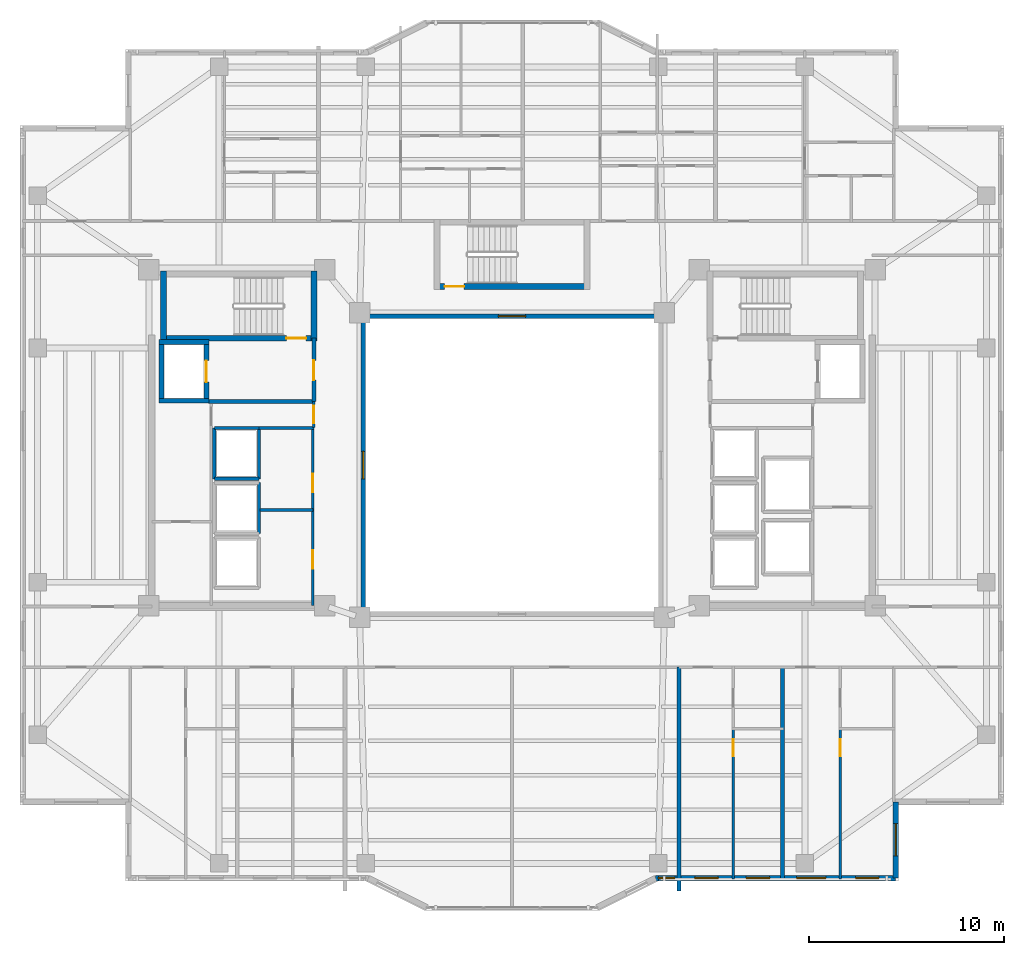
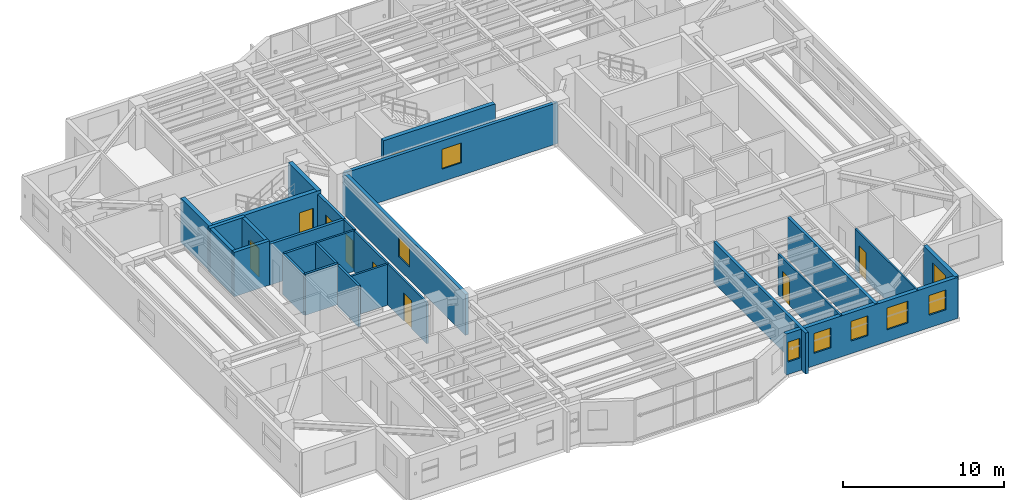
# One storey, part 7 of 16: 27 walls, 9 doors, 8 windows, 17 openings.
"""IFC4 building model written with IfcOpenShell, lengths in metres."""

from ifc_helpers import new_model, si_unit, direction, frame, frame_2d, origin, place, context, subcontext, project, spatial, rectangle, extrude, material, layer, layer_set, type_object, element, fill, save


model = new_model("IFC4")

# Units and contexts
model_context = context("Model", 3, precision=1e-05, world=origin(), true_north=direction((0.0, 1.0)))
body_context = subcontext(model_context, "Body", "Model", "MODEL_VIEW")
ifc_project = project(units=[si_unit("LENGTHUNIT", "METRE"), si_unit("AREAUNIT", "SQUARE_METRE"), si_unit("VOLUMEUNIT", "CUBIC_METRE"), si_unit("PLANEANGLEUNIT", "RADIAN"), si_unit("MASSUNIT", "GRAM", prefix="KILO")], contexts=[model_context])

# Site, building, storey
site_placement = place(None, origin())
site = spatial("IfcSite", under=ifc_project, at=site_placement, CompositionType="ELEMENT")
building_placement = place(site_placement, origin())
building = spatial("IfcBuilding", under=site, at=building_placement, Name="Tarnavaz Court Tower", CompositionType="ELEMENT")
storey_placement = place(building_placement, frame((0.0, 0.0, 152.699951171875)))
storey = spatial("IfcBuildingStorey", under=building, at=storey_placement, Name="L41", CompositionType="ELEMENT", Elevation=152.699951171875)

# Wall
ifc_material_1 = material(Name="Concrete C50/60", Category="concrete")
ifc_layer_1 = layer(ifc_material_1, 0.25)
ifc_layer_set_1 = layer_set([ifc_layer_1], Name="Concrete C50/60")
wall_type_1 = type_object("IfcWallType", Name="WL-CORE-250-C50", PredefinedType="SHEAR", material=ifc_layer_set_1)
wall_1_placement = place(storey_placement, frame((-17.949951171875, 3.175048828125, 0.0), z_axis=(0.0, 0.0, 1.0), x_axis=(0.0, 1.0, 0.0)))
element("IfcWall", 1, at=wall_1_placement, inside=storey, type_object=wall_type_1, Name="L41 Lift FL-W1 Shaft Wall 017", PredefinedType="SHEAR", context=body_context, shape_type="SweptSolid", body=[
    extrude(rectangle(XDim=3.25, YDim=0.25, at=frame_2d((1.625, 0.0))), origin(), (0.0, 0.0, 1.0), 3.35009765625),
])

# Wall, opening, door
wall_2_placement = place(storey_placement, frame((-15.64990234375, 3.175048828125, 0.0), z_axis=(0.0, 0.0, 1.0), x_axis=(0.0, 1.0, 0.0)))
wall_2 = element("IfcWall", 2, at=wall_2_placement, inside=storey, type_object=wall_type_1, Name="L41 Lift FL-W1 Shaft Wall 018", PredefinedType="SHEAR", context=body_context, shape_type="SweptSolid", body=[
    extrude(rectangle(XDim=3.25, YDim=0.25, at=frame_2d((1.625, 0.0))), origin(), (0.0, 0.0, 1.0), 3.35009765625),
])
opening_1_placement = place(wall_2_placement, frame((1.074951171875, 0.0, 0.0)))
opening_1 = element("IfcOpeningElement", 3, at=opening_1_placement, cuts=wall_2, Name="Opening LD1", PredefinedType="OPENING", context=body_context, shape_type="SweptSolid", body=[
    extrude(rectangle(XDim=1.10009765625, YDim=2.14990234375, at=frame_2d((0.550048828125, 1.074951171875))), frame((0.0, 0.135009765625, 0.0), z_axis=(0.0, -1.0, 0.0), x_axis=(1.0, 0.0, 0.0)), (0.0, 0.0, 1.0), 0.27001953125),
])
ifc_material_2 = material(Name="Stainless Steel", Category="steel")
door_type_1 = type_object("IfcDoorType", Name="DR-LD-1100", OperationType="NOTDEFINED", PredefinedType="DOOR", material=ifc_material_2)
door_1_placement = place(opening_1_placement, origin())
door_1 = element("IfcDoor", 4, at=door_1_placement, inside=storey, type_object=door_type_1, Name="L41 Lift Landing Door LD-FL-W1", OperationType="SLIDING_TO_LEFT", OverallHeight=2.14990234375, OverallWidth=1.10009765625, PredefinedType="DOOR", context=body_context, shape_type="SweptSolid", body=[
    extrude(rectangle(XDim=1.10009765625, YDim=2.14990234375, at=frame_2d((0.550048828125, 1.074951171875))), frame((0.0, 0.02490234375, 0.0), z_axis=(0.0, -1.0, 0.0), x_axis=(1.0, 0.0, 0.0)), (0.0, 0.0, 1.0), 0.050048828125),
])
fill(opening_1, door_1)

# Walls
for number, where, z_axis, x_axis, name in (
    (5, (-18.074951171875, 3.300048828125, 0.0), (0.0, 0.0, 1.0), (1.0, 0.0, 0.0), "L41 Lift FL-W1 Shaft Wall 019"),
    (6, (-18.074951171875, 6.300048828125, 0.0), (0.0, 0.0, 1.0), (1.0, 0.0, 0.0), "L41 Lift FL-W1 Shaft Wall 020"),
):
    element("IfcWall", number, at=place(storey_placement, frame(where, z_axis=z_axis, x_axis=x_axis)), inside=storey, type_object=wall_type_1, Name=name, PredefinedType="SHEAR", context=body_context, shape_type="SweptSolid", body=[
        extrude(rectangle(XDim=2.550048828125, YDim=0.25, at=frame_2d((1.27490234375, 0.0))), origin(), (0.0, 0.0, 1.0), 3.35009765625),
    ])

# Wall, opening, door
ifc_layer_2 = layer(ifc_material_1, 0.300048828125)
ifc_layer_set_2 = layer_set([ifc_layer_2], Name="Concrete C50/60")
wall_type_2 = type_object("IfcWallType", Name="WL-CORE-300-C50", PredefinedType="SHEAR", material=ifc_layer_set_2)
wall_3_placement = place(storey_placement, frame((-18.0, 6.5, 0.0), z_axis=(0.0, 0.0, 1.0), x_axis=(1.0, 0.0, 0.0)))
wall_3 = element("IfcWall", 7, at=wall_3_placement, inside=storey, type_object=wall_type_2, Name="L41 West Stair Core Wall 002", PredefinedType="SHEAR", context=body_context, shape_type="SweptSolid", body=[
    extrude(rectangle(XDim=8.0, YDim=0.300048828125, at=frame_2d((4.0, 0.0))), origin(), (0.0, 0.0, 1.0), 3.35009765625),
])
opening_2_placement = place(wall_3_placement, frame((6.449951171875, 0.0, 0.0)))
opening_2 = element("IfcOpeningElement", 8, at=opening_2_placement, cuts=wall_3, Name="Opening D01", PredefinedType="OPENING", context=body_context, shape_type="SweptSolid", body=[
    extrude(rectangle(XDim=1.0, YDim=2.14990234375, at=frame_2d((0.5, 1.074951171875))), frame((0.0, 0.159912109375, 0.0), z_axis=(0.0, -1.0, 0.0), x_axis=(1.0, 0.0, 0.0)), (0.0, 0.0, 1.0), 0.320068359375),
])
ifc_material_3 = material(Name="Fire-Rated Hardwood Timber Core", Category="wood")
door_type_2 = type_object("IfcDoorType", Name="DR-FD90-1000", OperationType="NOTDEFINED", PredefinedType="DOOR", material=ifc_material_3)
door_2_placement = place(opening_2_placement, origin())
door_2 = element("IfcDoor", 9, at=door_2_placement, inside=storey, type_object=door_type_2, Name="L41 Stair ST-W1 Exit Door", OperationType="SINGLE_SWING_LEFT", OverallHeight=2.14990234375, OverallWidth=1.0, PredefinedType="DOOR", context=body_context, shape_type="SweptSolid", body=[
    extrude(rectangle(XDim=1.0, YDim=2.14990234375, at=frame_2d((0.5, 1.074951171875))), frame((0.0, 0.02490234375, 0.0), z_axis=(0.0, -1.0, 0.0), x_axis=(1.0, 0.0, 0.0)), (0.0, 0.0, 1.0), 0.050048828125),
])
fill(opening_2, door_2)

# Walls
for number, where, z_axis, x_axis, name in (
    (10, (-17.85009765625, 6.35009765625, 0.0), (0.0, 0.0, 1.0), (0.0, 1.0, 0.0), "L41 West Stair Core Wall 003"),
    (11, (-10.14990234375, 6.35009765625, 0.0), (0.0, 0.0, 1.0), (0.0, 1.0, 0.0), "L41 West Stair Core Wall 004"),
):
    element("IfcWall", number, at=place(storey_placement, frame(where, z_axis=z_axis, x_axis=x_axis)), inside=storey, type_object=wall_type_2, Name=name, PredefinedType="SHEAR", context=body_context, shape_type="SweptSolid", body=[
        extrude(rectangle(XDim=3.58984375, YDim=0.300048828125, at=frame_2d((1.794921875, 0.0))), origin(), (0.0, 0.0, 1.0), 3.35009765625),
    ])

# Wall, opening, door
wall_4_placement = place(storey_placement, frame((-4.0, 9.14990234375, 0.0), z_axis=(0.0, 0.0, 1.0), x_axis=(1.0, 0.0, 0.0)))
wall_4 = element("IfcWall", 12, at=wall_4_placement, inside=storey, type_object=wall_type_2, Name="L41 North Stair Core Wall 010", PredefinedType="SHEAR", context=body_context, shape_type="SweptSolid", body=[
    extrude(rectangle(XDim=8.0, YDim=0.300048828125, at=frame_2d((4.0, 0.0))), origin(), (0.0, 0.0, 1.0), 3.35009765625),
])
opening_3_placement = place(wall_4_placement, frame((0.550048828125, 0.0, 0.0)))
opening_3 = element("IfcOpeningElement", 13, at=opening_3_placement, cuts=wall_4, Name="Opening D01", PredefinedType="OPENING", context=body_context, shape_type="SweptSolid", body=[
    extrude(rectangle(XDim=1.0, YDim=2.14990234375, at=frame_2d((0.5, 1.074951171875))), frame((0.0, 0.159912109375, 0.0), z_axis=(0.0, -1.0, 0.0), x_axis=(1.0, 0.0, 0.0)), (0.0, 0.0, 1.0), 0.320068359375),
])
door_3_placement = place(opening_3_placement, origin())
door_3 = element("IfcDoor", 14, at=door_3_placement, inside=storey, type_object=door_type_2, Name="L41 Stair ST-N1 Exit Door", OperationType="SINGLE_SWING_LEFT", OverallHeight=2.14990234375, OverallWidth=1.0, PredefinedType="DOOR", context=body_context, shape_type="SweptSolid", body=[
    extrude(rectangle(XDim=1.0, YDim=2.14990234375, at=frame_2d((0.5, 1.074951171875))), frame((0.0, 0.02490234375, 0.0), z_axis=(0.0, -1.0, 0.0), x_axis=(1.0, 0.0, 0.0)), (0.0, 0.0, 1.0), 0.050048828125),
])
fill(opening_3, door_3)

# Wall, opening, window
ifc_material_4 = material(Name="Precast Concrete C40/50", Category="concrete")
ifc_layer_3 = layer(ifc_material_4, 0.280029296875)
ifc_layer_set_3 = layer_set([ifc_layer_3], Name="Precast Concrete C40/50")
wall_type_3 = type_object("IfcWallType", Name="WL-EXT-280", PredefinedType="SOLIDWALL", material=ifc_layer_set_3)
wall_5_placement = place(storey_placement, frame((19.64990234375, -17.25, 0.0), z_axis=(0.0, 0.0, 1.0), x_axis=(0.0, -1.0, 0.0)))
wall_5 = element("IfcWall", 15, at=wall_5_placement, inside=storey, type_object=wall_type_3, Name="L41 Exterior Terracotta Facade Wall 14", PredefinedType="SOLIDWALL", context=body_context, shape_type="SweptSolid", body=[
    extrude(rectangle(XDim=3.89990234375, YDim=0.280029296875, at=frame_2d((1.949951171875, 0.0))), origin(), (0.0, 0.0, 1.0), 3.10009765625),
])
opening_4_placement = place(wall_5_placement, frame((1.107177734375, 0.0, 0.89990234375)))
opening_4 = element("IfcOpeningElement", 16, at=opening_4_placement, cuts=wall_5, Name="Opening W02", PredefinedType="OPENING", context=body_context, shape_type="SweptSolid", body=[
    extrude(rectangle(XDim=1.64990234375, YDim=1.60009765625, at=frame_2d((0.824951171875, 0.800048828125))), frame((0.0, 0.14990234375, 0.0), z_axis=(0.0, -1.0, 0.0), x_axis=(1.0, 0.0, 0.0)), (0.0, 0.0, 1.0), 0.300048828125),
])
ifc_material_5 = material(Name="Double-Glazed Solar Low-E Glass", Category="glass")
window_type_1 = type_object("IfcWindowType", Name="WN-APT-1650", PartitioningType="DOUBLE_PANEL_VERTICAL", PredefinedType="WINDOW", material=ifc_material_5)
window_1_placement = place(opening_4_placement, origin())
window_1 = element("IfcWindow", 17, at=window_1_placement, inside=storey, type_object=window_type_1, Name="L41 Flat 08 Kitchen Window", OverallHeight=1.60009765625, OverallWidth=1.64990234375, PartitioningType="SINGLE_PANEL", PredefinedType="WINDOW", context=body_context, shape_type="SweptSolid", body=[
    extrude(rectangle(XDim=1.64990234375, YDim=1.60009765625, at=frame_2d((0.824951171875, 0.800048828125))), frame((0.0, 0.030029296875, 0.0), z_axis=(0.0, -1.0, 0.0), x_axis=(1.0, 0.0, 0.0)), (0.0, 0.0, 1.0), 0.06005859375),
])
fill(opening_4, window_1)

# Wall, openings, windows
wall_6_placement = place(storey_placement, frame((19.64990234375, -21.14990234375, 0.0), z_axis=(0.0, 0.0, 1.0), x_axis=(-1.0, 0.0, 0.0)))
wall_6 = element("IfcWall", 18, at=wall_6_placement, inside=storey, type_object=wall_type_3, Name="L41 Exterior Terracotta Facade Wall 15", PredefinedType="SOLIDWALL", context=body_context, shape_type="SweptSolid", body=[
    extrude(rectangle(XDim=12.2998046875, YDim=0.280029296875, at=frame_2d((6.14990234375, 0.0))), origin(), (0.0, 0.0, 1.0), 3.10009765625),
])
opening_5_placement = place(wall_6_placement, frame((0.85595703125, 0.0, 0.949951171875)))
opening_5 = element("IfcOpeningElement", 19, at=opening_5_placement, cuts=wall_6, Name="Opening W05", PredefinedType="OPENING", context=body_context, shape_type="SweptSolid", body=[
    extrude(rectangle(XDim=1.199951171875, YDim=1.5, at=frame_2d((0.60009765625, 0.75))), frame((0.0, 0.14990234375, 0.0), z_axis=(0.0, -1.0, 0.0), x_axis=(1.0, 0.0, 0.0)), (0.0, 0.0, 1.0), 0.300048828125),
])
opening_6_placement = place(wall_6_placement, frame((3.567626953125, 0.0, 0.89990234375)))
opening_6 = element("IfcOpeningElement", 20, at=opening_6_placement, cuts=wall_6, Name="Opening W03", PredefinedType="OPENING", context=body_context, shape_type="SweptSolid", body=[
    extrude(rectangle(XDim=1.5, YDim=1.64990234375, at=frame_2d((0.75, 0.824951171875))), frame((0.0, 0.14990234375, 0.0), z_axis=(0.0, -1.0, 0.0), x_axis=(1.0, 0.0, 0.0)), (0.0, 0.0, 1.0), 0.300048828125),
])
opening_7_placement = place(wall_6_placement, frame((6.45361328125, 0.0, 0.949951171875)))
opening_7 = element("IfcOpeningElement", 21, at=opening_7_placement, cuts=wall_6, Name="Opening W05", PredefinedType="OPENING", context=body_context, shape_type="SweptSolid", body=[
    extrude(rectangle(XDim=1.199951171875, YDim=1.5, at=frame_2d((0.60009765625, 0.75))), frame((0.0, 0.14990234375, 0.0), z_axis=(0.0, -1.0, 0.0), x_axis=(1.0, 0.0, 0.0)), (0.0, 0.0, 1.0), 0.300048828125),
])
opening_8_placement = place(wall_6_placement, frame((9.08935546875, 0.0, 0.949951171875)))
opening_8 = element("IfcOpeningElement", 22, at=opening_8_placement, cuts=wall_6, Name="Opening W05", PredefinedType="OPENING", context=body_context, shape_type="SweptSolid", body=[
    extrude(rectangle(XDim=1.199951171875, YDim=1.5, at=frame_2d((0.60009765625, 0.75))), frame((0.0, 0.14990234375, 0.0), z_axis=(0.0, -1.0, 0.0), x_axis=(1.0, 0.0, 0.0)), (0.0, 0.0, 1.0), 0.300048828125),
])
opening_9_placement = place(wall_6_placement, frame((11.302978515625, 0.0, 0.949951171875)))
opening_9 = element("IfcOpeningElement", 23, at=opening_9_placement, cuts=wall_6, Name="Opening W15", PredefinedType="OPENING", context=body_context, shape_type="SweptSolid", body=[
    extrude(rectangle(XDim=0.85009765625, YDim=1.5, at=frame_2d((0.425048828125, 0.75))), frame((0.0, 0.14990234375, 0.0), z_axis=(0.0, -1.0, 0.0), x_axis=(1.0, 0.0, 0.0)), (0.0, 0.0, 1.0), 0.300048828125),
])
window_type_2 = type_object("IfcWindowType", Name="WN-APT-1200", PartitioningType="SINGLE_PANEL", PredefinedType="WINDOW", material=ifc_material_5)
window_2_placement = place(opening_5_placement, origin())
window_2 = element("IfcWindow", 24, at=window_2_placement, inside=storey, type_object=window_type_2, Name="L41 Flat 08 Kitchen Window", OverallHeight=1.5, OverallWidth=1.199951171875, PartitioningType="SINGLE_PANEL", PredefinedType="WINDOW", context=body_context, shape_type="SweptSolid", body=[
    extrude(rectangle(XDim=1.199951171875, YDim=1.5, at=frame_2d((0.60009765625, 0.75))), frame((0.0, 0.030029296875, 0.0), z_axis=(0.0, -1.0, 0.0), x_axis=(1.0, 0.0, 0.0)), (0.0, 0.0, 1.0), 0.06005859375),
])
fill(opening_5, window_2)
window_3_placement = place(opening_7_placement, origin())
window_3 = element("IfcWindow", 25, at=window_3_placement, inside=storey, type_object=window_type_2, Name="L41 Flat 07 Kitchen Window", OverallHeight=1.5, OverallWidth=1.199951171875, PartitioningType="SINGLE_PANEL", PredefinedType="WINDOW", context=body_context, shape_type="SweptSolid", body=[
    extrude(rectangle(XDim=1.199951171875, YDim=1.5, at=frame_2d((0.60009765625, 0.75))), frame((0.0, 0.030029296875, 0.0), z_axis=(0.0, -1.0, 0.0), x_axis=(1.0, 0.0, 0.0)), (0.0, 0.0, 1.0), 0.06005859375),
])
fill(opening_7, window_3)
window_4_placement = place(opening_8_placement, origin())
window_4 = element("IfcWindow", 26, at=window_4_placement, inside=storey, type_object=window_type_2, Name="L41 Flat 07 Studio Living and Sleeping Room Window", OverallHeight=1.5, OverallWidth=1.199951171875, PartitioningType="SINGLE_PANEL", PredefinedType="WINDOW", context=body_context, shape_type="SweptSolid", body=[
    extrude(rectangle(XDim=1.199951171875, YDim=1.5, at=frame_2d((0.60009765625, 0.75))), frame((0.0, 0.030029296875, 0.0), z_axis=(0.0, -1.0, 0.0), x_axis=(1.0, 0.0, 0.0)), (0.0, 0.0, 1.0), 0.06005859375),
])
fill(opening_8, window_4)
window_type_3 = type_object("IfcWindowType", Name="WN-APT-1500", PartitioningType="DOUBLE_PANEL_VERTICAL", PredefinedType="WINDOW", material=ifc_material_5)
window_5_placement = place(opening_6_placement, origin())
window_5 = element("IfcWindow", 27, at=window_5_placement, inside=storey, type_object=window_type_3, Name="L41 Flat 08 Studio Living and Sleeping Room Window", OverallHeight=1.64990234375, OverallWidth=1.5, PartitioningType="SINGLE_PANEL", PredefinedType="WINDOW", context=body_context, shape_type="SweptSolid", body=[
    extrude(rectangle(XDim=1.5, YDim=1.64990234375, at=frame_2d((0.75, 0.824951171875))), frame((0.0, 0.030029296875, 0.0), z_axis=(0.0, -1.0, 0.0), x_axis=(1.0, 0.0, 0.0)), (0.0, 0.0, 1.0), 0.06005859375),
])
fill(opening_6, window_5)
window_type_4 = type_object("IfcWindowType", Name="WN-APT-850", PartitioningType="SINGLE_PANEL", PredefinedType="WINDOW", material=ifc_material_5)
window_6_placement = place(opening_9_placement, origin())
window_6 = element("IfcWindow", 28, at=window_6_placement, inside=storey, type_object=window_type_4, Name="L41 South Courtyard Reading Room Window", OverallHeight=1.5, OverallWidth=0.85009765625, PartitioningType="SINGLE_PANEL", PredefinedType="WINDOW", context=body_context, shape_type="SweptSolid", body=[
    extrude(rectangle(XDim=0.85009765625, YDim=1.5, at=frame_2d((0.425048828125, 0.75))), frame((0.0, 0.030029296875, 0.0), z_axis=(0.0, -1.0, 0.0), x_axis=(1.0, 0.0, 0.0)), (0.0, 0.0, 1.0), 0.06005859375),
])
fill(opening_9, window_6)

# Wall
ifc_material_6 = material(Name="Autoclaved Aerated Concrete Blockwork", Category="masonry")
ifc_layer_4 = layer(ifc_material_6, 0.199951171875)
ifc_layer_set_4 = layer_set([ifc_layer_4], Name="Autoclaved Aerated Concrete Blockwork")
wall_type_4 = type_object("IfcWallType", Name="WL-FIRE-200", PredefinedType="SOLIDWALL", material=ifc_layer_set_4)
wall_7_placement = place(storey_placement, frame((-15.550048828125, 3.25, 0.0), z_axis=(0.0, 0.0, 1.0), x_axis=(1.0, 0.0, 0.0)))
element("IfcWall", 29, at=wall_7_placement, inside=storey, type_object=wall_type_4, Name="L41 West Firefighting Lobby Wall 013", PredefinedType="SOLIDWALL", context=body_context, shape_type="SweptSolid", body=[
    extrude(rectangle(XDim=5.400146484375, YDim=0.199951171875, at=frame_2d((2.7001953125, 0.0))), origin(), (0.0, 0.0, 1.0), 3.10009765625),
])

# Wall, opening, door
wall_8_placement = place(storey_placement, frame((-10.14990234375, 3.25, 0.0), z_axis=(0.0, 0.0, 1.0), x_axis=(0.0, 1.0, 0.0)))
wall_8 = element("IfcWall", 30, at=wall_8_placement, inside=storey, type_object=wall_type_4, Name="L41 West Firefighting Lobby Wall 014", PredefinedType="SOLIDWALL", context=body_context, shape_type="SweptSolid", body=[
    extrude(rectangle(XDim=3.25, YDim=0.199951171875, at=frame_2d((1.625, 0.0))), origin(), (0.0, 0.0, 1.0), 3.10009765625),
])
opening_10_placement = place(wall_8_placement, frame((1.10009765625, 0.0, 0.0)))
opening_10 = element("IfcOpeningElement", 31, at=opening_10_placement, cuts=wall_8, Name="Opening D05", PredefinedType="OPENING", context=body_context, shape_type="SweptSolid", body=[
    extrude(rectangle(XDim=1.02001953125, YDim=2.14990234375, at=frame_2d((0.510009765625, 1.074951171875))), frame((0.0, 0.10986328125, 0.0), z_axis=(0.0, -1.0, 0.0), x_axis=(1.0, 0.0, 0.0)), (0.0, 0.0, 1.0), 0.219970703125),
])
door_type_3 = type_object("IfcDoorType", Name="DR-FD60-1000", OperationType="NOTDEFINED", PredefinedType="DOOR", material=ifc_material_3)
door_4_placement = place(opening_10_placement, origin())
door_4 = element("IfcDoor", 32, at=door_4_placement, inside=storey, type_object=door_type_3, Name="L41 West Firefighting Lobby Door", OperationType="SINGLE_SWING_RIGHT", OverallHeight=2.14990234375, OverallWidth=1.02001953125, PredefinedType="DOOR", context=body_context, shape_type="SweptSolid", body=[
    extrude(rectangle(XDim=1.02001953125, YDim=2.14990234375, at=frame_2d((0.510009765625, 1.074951171875))), frame((0.0, 0.02490234375, 0.0), z_axis=(0.0, -1.0, 0.0), x_axis=(1.0, 0.0, 0.0)), (0.0, 0.0, 1.0), 0.050048828125),
])
fill(opening_10, door_4)

# Walls
wall_9_placement = place(storey_placement, frame((13.85595703125, -21.199951171875, 0.0), z_axis=(0.0, 0.0, 1.0), x_axis=(0.0, 1.0, 0.0)))
element("IfcWall", 33, at=wall_9_placement, inside=storey, type_object=wall_type_4, Name="L41 Party Wall 107", PredefinedType="SOLIDWALL", context=body_context, shape_type="SweptSolid", body=[
    extrude(rectangle(XDim=10.849853515625, YDim=0.199951171875, at=frame_2d((5.4248046875, 0.0))), origin(), (0.0, 0.0, 1.0), 3.10009765625),
])
wall_10_placement = place(storey_placement, frame((8.550048828125, -21.803955078125, 0.0), z_axis=(0.0, 0.0, 1.0), x_axis=(0.0, 1.0, 0.0)))
element("IfcWall", 34, at=wall_10_placement, inside=storey, type_object=wall_type_4, Name="L41 Party Wall 115", PredefinedType="SOLIDWALL", context=body_context, shape_type="SweptSolid", body=[
    extrude(rectangle(XDim=11.453857421875, YDim=0.199951171875, at=frame_2d((5.72705078125, 0.0))), origin(), (0.0, 0.0, 1.0), 3.10009765625),
])

# Wall, opening, door
ifc_material_7 = material(Name="Moisture-Resistant Gypsum Board Partition", Category="masonry")
ifc_layer_5 = layer(ifc_material_7, 0.1201171875)
ifc_layer_set_5 = layer_set([ifc_layer_5], Name="Moisture-Resistant Gypsum Board Partition")
wall_type_5 = type_object("IfcWallType", Name="WL-PART-120", PredefinedType="PARTITIONING", material=ifc_layer_set_5)
wall_11_placement = place(storey_placement, frame((11.3310546875, -21.199951171875, 0.0), z_axis=(0.0, 0.0, 1.0), x_axis=(0.0, 1.0, 0.0)))
wall_11 = element("IfcWall", 35, at=wall_11_placement, inside=storey, type_object=wall_type_5, Name="L41 Interior Partition 108", PredefinedType="PARTITIONING", context=body_context, shape_type="SweptSolid", body=[
    extrude(rectangle(XDim=7.68994140625, YDim=0.1201171875, at=frame_2d((3.844970703125, 0.0))), origin(), (0.0, 0.0, 1.0), 3.10009765625),
])
opening_11_placement = place(wall_11_placement, frame((6.2900390625, 0.0, 0.0)))
opening_11 = element("IfcOpeningElement", 36, at=opening_11_placement, cuts=wall_11, Name="Opening D14", PredefinedType="OPENING", context=body_context, shape_type="SweptSolid", body=[
    extrude(rectangle(XDim=0.8798828125, YDim=2.10009765625, at=frame_2d((0.43994140625, 1.050048828125))), frame((0.0, 0.070068359375, 0.0), z_axis=(0.0, -1.0, 0.0), x_axis=(1.0, 0.0, 0.0)), (0.0, 0.0, 1.0), 0.14013671875),
])
ifc_material_8 = material(Name="Engineered Oak Timber", Category="wood")
door_type_4 = type_object("IfcDoorType", Name="DR-INT-900", OperationType="NOTDEFINED", PredefinedType="DOOR", material=ifc_material_8)
door_5_placement = place(opening_11_placement, origin())
door_5 = element("IfcDoor", 37, at=door_5_placement, inside=storey, type_object=door_type_4, Name="L41 Flat 07 Kitchen Door", OperationType="SINGLE_SWING_RIGHT", OverallHeight=2.10009765625, OverallWidth=0.8798828125, PredefinedType="DOOR", context=body_context, shape_type="SweptSolid", body=[
    extrude(rectangle(XDim=0.8798828125, YDim=2.10009765625, at=frame_2d((0.43994140625, 1.050048828125))), frame((0.0, 0.02490234375, 0.0), z_axis=(0.0, -1.0, 0.0), x_axis=(1.0, 0.0, 0.0)), (0.0, 0.0, 1.0), 0.050048828125),
])
fill(opening_11, door_5)

wall_12_placement = place(storey_placement, frame((16.81396484375, -21.199951171875, 0.0), z_axis=(0.0, 0.0, 1.0), x_axis=(0.0, 1.0, 0.0)))
wall_12 = element("IfcWall", 38, at=wall_12_placement, inside=storey, type_object=wall_type_5, Name="L41 Interior Partition 111", PredefinedType="PARTITIONING", context=body_context, shape_type="SweptSolid", body=[
    extrude(rectangle(XDim=7.68994140625, YDim=0.1201171875, at=frame_2d((3.844970703125, 0.0))), origin(), (0.0, 0.0, 1.0), 3.10009765625),
])
opening_12_placement = place(wall_12_placement, frame((6.2900390625, 0.0, 0.0)))
opening_12 = element("IfcOpeningElement", 39, at=opening_12_placement, cuts=wall_12, Name="Opening D14", PredefinedType="OPENING", context=body_context, shape_type="SweptSolid", body=[
    extrude(rectangle(XDim=0.8798828125, YDim=2.10009765625, at=frame_2d((0.43994140625, 1.050048828125))), frame((0.0, 0.070068359375, 0.0), z_axis=(0.0, -1.0, 0.0), x_axis=(1.0, 0.0, 0.0)), (0.0, 0.0, 1.0), 0.14013671875),
])
door_6_placement = place(opening_12_placement, origin())
door_6 = element("IfcDoor", 40, at=door_6_placement, inside=storey, type_object=door_type_4, Name="L41 Flat 08 Kitchen Door", OperationType="SINGLE_SWING_LEFT", OverallHeight=2.10009765625, OverallWidth=0.8798828125, PredefinedType="DOOR", context=body_context, shape_type="SweptSolid", body=[
    extrude(rectangle(XDim=0.8798828125, YDim=2.10009765625, at=frame_2d((0.43994140625, 1.050048828125))), frame((0.0, 0.02490234375, 0.0), z_axis=(0.0, -1.0, 0.0), x_axis=(1.0, 0.0, 0.0)), (0.0, 0.0, 1.0), 0.050048828125),
])
fill(opening_12, door_6)

# Wall
ifc_material_9 = material(Name="Gypsum Plasterboard Acoustic Partition", Category="masonry")
ifc_layer_6 = layer(ifc_material_9, 0.139892578125)
ifc_layer_set_6 = layer_set([ifc_layer_6], Name="Gypsum Plasterboard Acoustic Partition")
wall_type_6 = type_object("IfcWallType", Name="WL-PART-150", PredefinedType="PARTITIONING", material=ifc_layer_set_6)
wall_13_placement = place(storey_placement, frame((-12.949951171875, 1.89990234375, 0.0), z_axis=(0.0, 0.0, 1.0), x_axis=(1.0, 0.0, 0.0)))
element("IfcWall", 41, at=wall_13_placement, inside=storey, type_object=wall_type_6, Name="L41 Interior Partition 061", PredefinedType="PARTITIONING", context=body_context, shape_type="SweptSolid", body=[
    extrude(rectangle(XDim=2.800048828125, YDim=0.139892578125, at=frame_2d((1.39990234375, 0.0))), origin(), (0.0, 0.0, 1.0), 3.10009765625),
])

# Wall, opening, door
wall_14_placement = place(storey_placement, frame((-10.14990234375, 1.919921875, 0.0), z_axis=(0.0, 0.0, 1.0), x_axis=(0.0, 1.0, 0.0)))
wall_14 = element("IfcWall", 42, at=wall_14_placement, inside=storey, type_object=wall_type_6, Name="L41 Interior Partition 062", PredefinedType="PARTITIONING", context=body_context, shape_type="SweptSolid", body=[
    extrude(rectangle(XDim=1.330078125, YDim=0.139892578125, at=frame_2d((0.6650390625, 0.0))), origin(), (0.0, 0.0, 1.0), 3.10009765625),
])
opening_13_placement = place(wall_14_placement, frame((0.219970703125, 0.0, 0.0)))
opening_13 = element("IfcOpeningElement", 43, at=opening_13_placement, cuts=wall_14, Name="Opening D09", PredefinedType="OPENING", context=body_context, shape_type="SweptSolid", body=[
    extrude(rectangle(XDim=0.89990234375, YDim=2.080078125, at=frame_2d((0.449951171875, 1.0400390625))), frame((0.0, 0.079833984375, 0.0), z_axis=(0.0, -1.0, 0.0), x_axis=(1.0, 0.0, 0.0)), (0.0, 0.0, 1.0), 0.159912109375),
])
door_type_5 = type_object("IfcDoorType", Name="DR-FD30-900", OperationType="NOTDEFINED", PredefinedType="DOOR", material=ifc_material_3)
door_7_placement = place(opening_13_placement, origin())
door_7 = element("IfcDoor", 44, at=door_7_placement, inside=storey, type_object=door_type_5, Name="L41 West Core Service Lobby Door", OperationType="SINGLE_SWING_LEFT", OverallHeight=2.080078125, OverallWidth=0.89990234375, PredefinedType="DOOR", context=body_context, shape_type="SweptSolid", body=[
    extrude(rectangle(XDim=0.89990234375, YDim=2.080078125, at=frame_2d((0.449951171875, 1.0400390625))), frame((0.0, 0.02490234375, 0.0), z_axis=(0.0, -1.0, 0.0), x_axis=(1.0, 0.0, 0.0)), (0.0, 0.0, 1.0), 0.050048828125),
])
fill(opening_13, door_7)

# Wall, openings, doors
wall_15_placement = place(storey_placement, frame((-10.199951171875, -7.199951171875, 0.0), z_axis=(0.0, 0.0, 1.0), x_axis=(0.0, 1.0, 0.0)))
wall_15 = element("IfcWall", 45, at=wall_15_placement, inside=storey, type_object=wall_type_6, Name="L41 West Reclaimed Core Wall 065", PredefinedType="PARTITIONING", context=body_context, shape_type="SweptSolid", body=[
    extrude(rectangle(XDim=9.119873046875, YDim=0.139892578125, at=frame_2d((4.56005859375, 0.0))), origin(), (0.0, 0.0, 1.0), 3.10009765625),
])
opening_14_placement = place(wall_15_placement, frame((1.89990234375, 0.0, 0.0)))
opening_14 = element("IfcOpeningElement", 46, at=opening_14_placement, cuts=wall_15, Name="Opening D08", PredefinedType="OPENING", context=body_context, shape_type="SweptSolid", body=[
    extrude(rectangle(XDim=0.949951171875, YDim=2.1201171875, at=frame_2d((0.47509765625, 1.06005859375))), frame((0.0, 0.079833984375, 0.0), z_axis=(0.0, -1.0, 0.0), x_axis=(1.0, 0.0, 0.0)), (0.0, 0.0, 1.0), 0.159912109375),
])
opening_15_placement = place(wall_15_placement, frame((5.800048828125, 0.0, 0.0)))
opening_15 = element("IfcOpeningElement", 47, at=opening_15_placement, cuts=wall_15, Name="Opening D08", PredefinedType="OPENING", context=body_context, shape_type="SweptSolid", body=[
    extrude(rectangle(XDim=0.949951171875, YDim=2.1201171875, at=frame_2d((0.47509765625, 1.06005859375))), frame((0.0, 0.079833984375, 0.0), z_axis=(0.0, -1.0, 0.0), x_axis=(1.0, 0.0, 0.0)), (0.0, 0.0, 1.0), 0.159912109375),
])
door_type_6 = type_object("IfcDoorType", Name="DR-FD30-950", OperationType="NOTDEFINED", PredefinedType="DOOR", material=ifc_material_3)
door_8_placement = place(opening_14_placement, origin())
door_8 = element("IfcDoor", 48, at=door_8_placement, inside=storey, type_object=door_type_6, Name="L41 West Study Room Door", OperationType="SINGLE_SWING_RIGHT", OverallHeight=2.1201171875, OverallWidth=0.949951171875, PredefinedType="DOOR", context=body_context, shape_type="SweptSolid", body=[
    extrude(rectangle(XDim=0.949951171875, YDim=2.1201171875, at=frame_2d((0.47509765625, 1.06005859375))), frame((0.0, 0.02490234375, 0.0), z_axis=(0.0, -1.0, 0.0), x_axis=(1.0, 0.0, 0.0)), (0.0, 0.0, 1.0), 0.050048828125),
])
fill(opening_14, door_8)
door_9_placement = place(opening_15_placement, origin())
door_9 = element("IfcDoor", 49, at=door_9_placement, inside=storey, type_object=door_type_6, Name="L41 West Laundry Room Door", OperationType="SINGLE_SWING_LEFT", OverallHeight=2.1201171875, OverallWidth=0.949951171875, PredefinedType="DOOR", context=body_context, shape_type="SweptSolid", body=[
    extrude(rectangle(XDim=0.949951171875, YDim=2.1201171875, at=frame_2d((0.47509765625, 1.06005859375))), frame((0.0, 0.02490234375, 0.0), z_axis=(0.0, -1.0, 0.0), x_axis=(1.0, 0.0, 0.0)), (0.0, 0.0, 1.0), 0.050048828125),
])
fill(opening_15, door_9)

# Walls
wall_16_placement = place(storey_placement, frame((-12.89990234375, -2.300048828125, 0.0), z_axis=(0.0, 0.0, 1.0), x_axis=(1.0, 0.0, 0.0)))
element("IfcWall", 50, at=wall_16_placement, inside=storey, type_object=wall_type_6, Name="L41 Interior Partition 066", PredefinedType="PARTITIONING", context=body_context, shape_type="SweptSolid", body=[
    extrude(rectangle(XDim=2.699951171875, YDim=0.139892578125, at=frame_2d((1.35009765625, 0.0))), origin(), (0.0, 0.0, 1.0), 3.10009765625),
])
ifc_layer_7 = layer(ifc_material_6, 0.159912109375)
ifc_layer_set_7 = layer_set([ifc_layer_7], Name="Autoclaved Aerated Concrete Blockwork")
wall_type_7 = type_object("IfcWallType", Name="WL-SHAFT-150", PredefinedType="SOLIDWALL", material=ifc_layer_set_7)
wall_17_placement = place(storey_placement, frame((-12.949951171875, -3.5, 0.0), z_axis=(0.0, 0.0, 1.0), x_axis=(0.0, 1.0, 0.0)))
element("IfcWall", 51, at=wall_17_placement, inside=storey, type_object=wall_type_7, Name="L41 Lift PL-H2 Shaft Wall 026", PredefinedType="SOLIDWALL", context=body_context, shape_type="SweptSolid", body=[
    extrude(rectangle(XDim=2.60009765625, YDim=0.159912109375, at=frame_2d((1.300048828125, 0.0))), origin(), (0.0, 0.0, 1.0), 3.10009765625),
])
for number, where, z_axis, x_axis, name in (
    (52, (-15.25, -0.699951171875, 0.0), (0.0, 0.0, 1.0), (0.0, 1.0, 0.0), "L41 Lift PL-H3 Shaft Wall 029"),
    (53, (-12.949951171875, -0.699951171875, 0.0), (0.0, 0.0, 1.0), (0.0, 1.0, 0.0), "L41 Lift PL-H3 Shaft Wall 030"),
):
    element("IfcWall", number, at=place(storey_placement, frame(where, z_axis=z_axis, x_axis=x_axis)), inside=storey, type_object=wall_type_7, Name=name, PredefinedType="SOLIDWALL", context=body_context, shape_type="SweptSolid", body=[
        extrude(rectangle(XDim=2.599853515625, YDim=0.159912109375, at=frame_2d((1.2998046875, 0.0))), origin(), (0.0, 0.0, 1.0), 3.10009765625),
    ])
for number, where, z_axis, x_axis, name in (
    (54, (-15.25, -0.699951171875, 0.0), (0.0, 0.0, 1.0), (1.0, 0.0, 0.0), "L41 Lift PL-H3 Shaft Wall 031"),
    (55, (-15.25, 1.89990234375, 0.0), (0.0, 0.0, 1.0), (1.0, 0.0, 0.0), "L41 Lift PL-H3 Shaft Wall 032"),
):
    element("IfcWall", number, at=place(storey_placement, frame(where, z_axis=z_axis, x_axis=x_axis)), inside=storey, type_object=wall_type_7, Name=name, PredefinedType="SOLIDWALL", context=body_context, shape_type="SweptSolid", body=[
        extrude(rectangle(XDim=2.300048828125, YDim=0.159912109375, at=frame_2d((1.14990234375, 0.0))), origin(), (0.0, 0.0, 1.0), 3.10009765625),
    ])

# Wall, opening, window
ifc_layer_8 = layer(ifc_material_4, 0.239990234375)
ifc_layer_set_8 = layer_set([ifc_layer_8], Name="Precast Concrete C40/50")
wall_type_8 = type_object("IfcWallType", Name="WL-WELL-240", PredefinedType="SOLIDWALL", material=ifc_layer_set_8)
wall_18_placement = place(storey_placement, frame((7.6201171875, 7.6201171875, 0.0), z_axis=(0.0, 0.0, 1.0), x_axis=(-1.0, 0.0, 0.0)))
wall_18 = element("IfcWall", 56, at=wall_18_placement, inside=storey, type_object=wall_type_8, Name="L41 Badgir Light-Well Exterior Wall N", PredefinedType="SOLIDWALL", context=body_context, shape_type="SweptSolid", body=[
    extrude(rectangle(XDim=15.240234375, YDim=0.239990234375, at=frame_2d((7.6201171875, 0.0))), origin(), (0.0, 0.0, 1.0), 3.10009765625),
])
opening_16_placement = place(wall_18_placement, frame((6.919921875, 0.0, 0.949951171875)))
opening_16 = element("IfcOpeningElement", 57, at=opening_16_placement, cuts=wall_18, Name="Opening W13", PredefinedType="OPENING", context=body_context, shape_type="SweptSolid", body=[
    extrude(rectangle(XDim=1.39990234375, YDim=1.5, at=frame_2d((0.699951171875, 0.75))), frame((0.0, 0.1298828125, 0.0), z_axis=(0.0, -1.0, 0.0), x_axis=(1.0, 0.0, 0.0)), (0.0, 0.0, 1.0), 0.260009765625),
])
window_type_5 = type_object("IfcWindowType", Name="WN-WEL-1400", PartitioningType="SINGLE_PANEL", PredefinedType="WINDOW", material=ifc_material_5)
window_7_placement = place(opening_16_placement, origin())
window_7 = element("IfcWindow", 58, at=window_7_placement, inside=storey, type_object=window_type_5, Name="L41 Courtyard Gallery Window N", OverallHeight=1.5, OverallWidth=1.39990234375, PartitioningType="SINGLE_PANEL", PredefinedType="WINDOW", context=body_context, shape_type="SweptSolid", body=[
    extrude(rectangle(XDim=1.39990234375, YDim=1.5, at=frame_2d((0.699951171875, 0.75))), frame((0.0, 0.030029296875, 0.0), z_axis=(0.0, -1.0, 0.0), x_axis=(1.0, 0.0, 0.0)), (0.0, 0.0, 1.0), 0.06005859375),
])
fill(opening_16, window_7)

wall_19_placement = place(storey_placement, frame((-7.6201171875, 7.6201171875, 0.0), z_axis=(0.0, 0.0, 1.0), x_axis=(0.0, -1.0, 0.0)))
wall_19 = element("IfcWall", 59, at=wall_19_placement, inside=storey, type_object=wall_type_8, Name="L41 Badgir Light-Well Exterior Wall W", PredefinedType="SOLIDWALL", context=body_context, shape_type="SweptSolid", body=[
    extrude(rectangle(XDim=15.240234375, YDim=0.239990234375, at=frame_2d((7.6201171875, 0.0))), origin(), (0.0, 0.0, 1.0), 3.10009765625),
])
opening_17_placement = place(wall_19_placement, frame((6.919921875, 0.0, 0.949951171875)))
opening_17 = element("IfcOpeningElement", 60, at=opening_17_placement, cuts=wall_19, Name="Opening W13", PredefinedType="OPENING", context=body_context, shape_type="SweptSolid", body=[
    extrude(rectangle(XDim=1.39990234375, YDim=1.5, at=frame_2d((0.699951171875, 0.75))), frame((0.0, 0.1298828125, 0.0), z_axis=(0.0, -1.0, 0.0), x_axis=(1.0, 0.0, 0.0)), (0.0, 0.0, 1.0), 0.260009765625),
])
window_8_placement = place(opening_17_placement, origin())
window_8 = element("IfcWindow", 61, at=window_8_placement, inside=storey, type_object=window_type_5, Name="L41 Courtyard Gallery Window W", OverallHeight=1.5, OverallWidth=1.39990234375, PartitioningType="SINGLE_PANEL", PredefinedType="WINDOW", context=body_context, shape_type="SweptSolid", body=[
    extrude(rectangle(XDim=1.39990234375, YDim=1.5, at=frame_2d((0.699951171875, 0.75))), frame((0.0, 0.030029296875, 0.0), z_axis=(0.0, -1.0, 0.0), x_axis=(1.0, 0.0, 0.0)), (0.0, 0.0, 1.0), 0.06005859375),
])
fill(opening_17, window_8)

save(model, "model.ifc")
